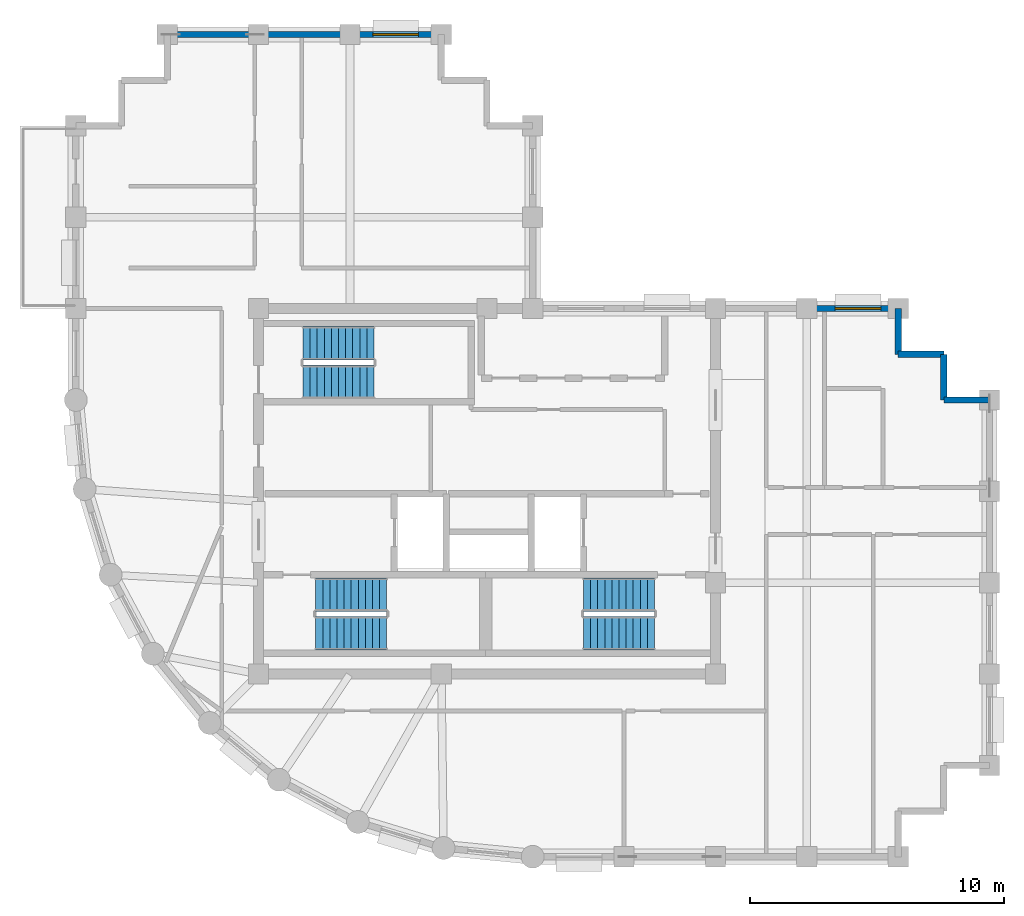
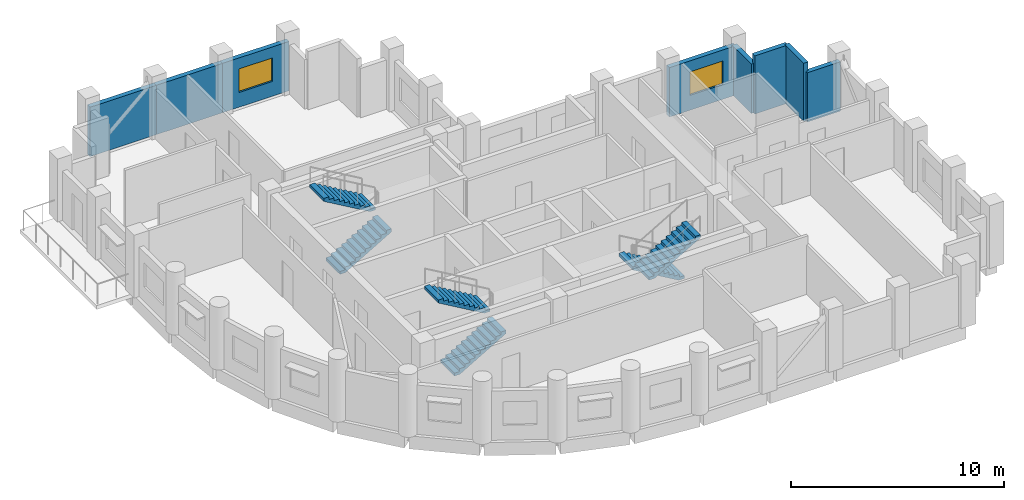
# One storey, part 5 of 7: 8 walls, 6 stair flights, 2 windows, 2 openings, 3 elements without a shape of their own.
"""IFC4 building model written with IfcOpenShell, lengths in metres."""

import ifcopenshell
import ifcopenshell.guid

model = None  # the IFC model being written
_history = None  # IfcOwnerHistory: only IFC2X3 demands one
_inside = {}  # id of a spatial element -> (the spatial element, [elements in it])
_under = {}  # id of a project, library or spatial element -> (it, [spatial elements below it])
_declared = {}  # id of a project -> (the project, [libraries it declares])
_typed = {}  # id of a type object -> (the type object, [elements of that type])
_made_of = {}  # id of a material, layer set ... -> (it, [elements and type objects made of it])


def new_model(schema):
    """Start an empty IFC model of exactly this schema.

    Asked for "IFC4X3", IfcOpenShell would pick the latest addendum, in which some entities
    have other attributes; the version numbers below select the first issue.
    IFC2X3 requires an IfcOwnerHistory on every rooted entity: one is made here for all.
    """
    global model, _history
    if schema == "IFC4X3":
        model = ifcopenshell.file(schema_version=(4, 3, 0, 0))
    else:
        model = ifcopenshell.file(schema=schema)
    _inside.clear()
    _under.clear()
    _declared.clear()
    _typed.clear()
    _made_of.clear()
    _history = None
    if model.schema == "IFC2X3":
        org = make("IfcOrganization", Name="unknown")
        user = make(
            "IfcPersonAndOrganization",
            ThePerson=make("IfcPerson", FamilyName="unknown"),
            TheOrganization=org,
        )
        app = make(
            "IfcApplication",
            ApplicationDeveloper=org,
            Version="unknown",
            ApplicationFullName="unknown",
            ApplicationIdentifier="unknown",
        )
        _history = make(
            "IfcOwnerHistory",
            OwningUser=user,
            OwningApplication=app,
            ChangeAction="ADDED",
            CreationDate=0,
        )
    return model


def make(cls, **values):
    """One entity of the class cls with the attributes given. An attribute that is None is left unset."""
    return model.create_entity(
        cls, **{name: value for name, value in values.items() if value is not None}
    )


def rooted(cls, **values):
    """An entity with a GlobalId (a new one), such as an element, a storey or a relation."""
    return make(cls, GlobalId=ifcopenshell.guid.new(), OwnerHistory=_history, **values)


def si_unit(unit_type, name, prefix=None):
    """IfcSIUnit, for example si_unit("LENGTHUNIT", "METRE", prefix="MILLI")."""
    return make("IfcSIUnit", UnitType=unit_type, Prefix=prefix, Name=name)


def assignment(units):
    """IfcUnitAssignment: the units of a project."""
    return None if units is None else make("IfcUnitAssignment", Units=units)


def point(xyz):
    """IfcCartesianPoint."""
    return None if xyz is None else make("IfcCartesianPoint", Coordinates=xyz)


def direction(xyz):
    """IfcDirection."""
    return None if xyz is None else make("IfcDirection", DirectionRatios=xyz)


def frame(location, z_axis=None, x_axis=None):
    """IfcAxis2Placement3D, a coordinate frame: its origin and axes. An axis left out is left unset."""
    return make(
        "IfcAxis2Placement3D",
        Location=point(location),
        Axis=direction(z_axis),
        RefDirection=direction(x_axis),
    )


def frame_2d(location, x_axis=None):
    """IfcAxis2Placement2D, a coordinate frame in the plane: its origin and x axis."""
    return make(
        "IfcAxis2Placement2D", Location=point(location), RefDirection=direction(x_axis)
    )


def origin():
    """The frame at (0, 0, 0) with its axes left unset."""
    return frame((0.0, 0.0, 0.0))


def place(relative_to, where):
    """IfcLocalPlacement: puts the frame where relative to a parent placement (None: the world)."""
    return make(
        "IfcLocalPlacement", PlacementRelTo=relative_to, RelativePlacement=where
    )


def context(
    kind, dimensions, precision=None, world=None, true_north=None, identifier=None
):
    """IfcGeometricRepresentationContext, for example the 3D "Model" context."""
    return make(
        "IfcGeometricRepresentationContext",
        ContextIdentifier=identifier,
        ContextType=kind,
        CoordinateSpaceDimension=dimensions,
        Precision=precision,
        WorldCoordinateSystem=world,
        TrueNorth=true_north,
    )


def subcontext(parent, identifier, kind, view, scale=None):
    """IfcGeometricRepresentationSubContext, for example "Body" below "Model"."""
    return make(
        "IfcGeometricRepresentationSubContext",
        ContextIdentifier=identifier,
        ContextType=kind,
        ParentContext=parent,
        TargetScale=scale,
        TargetView=view,
    )


def project(units=None, contexts=None):
    """IfcProject with its units and contexts."""
    return rooted(
        "IfcProject",
        Name="project",
        RepresentationContexts=contexts,
        UnitsInContext=assignment(units),
    )


def spatial(cls, under=None, at=None, **own):
    """A site, building, storey or space (cls), placed at a placement, below another one or the project."""
    s = rooted(cls, ObjectPlacement=at, **own)
    if under is not None:
        _under.setdefault(under.id(), (under, []))[1].append(s)
    return s


def polyline(points):
    """IfcPolyline through the points."""
    return make("IfcPolyline", Points=[point(p) for p in points])


def profile(cls, at=None, kind="AREA", **sizes):
    """A parametric profile (cls). Its sizes go by their IFC names, for example OverallWidth=200.0."""
    return make(cls, ProfileType=kind, Position=at, **sizes)


def rectangle(**sizes):
    """IfcRectangleProfileDef."""
    return profile("IfcRectangleProfileDef", **sizes)


def outline(outer, holes=None, kind="AREA"):
    """IfcArbitraryClosedProfileDef: a profile drawn as a closed curve; with holes, ...WithVoids."""
    if holes is None:
        return make("IfcArbitraryClosedProfileDef", ProfileType=kind, OuterCurve=outer)
    return make(
        "IfcArbitraryProfileDefWithVoids",
        ProfileType=kind,
        OuterCurve=outer,
        InnerCurves=holes,
    )


def extrude(swept, where, along, depth):
    """IfcExtrudedAreaSolid: the profile swept, set in the frame where, extruded along a direction by depth."""
    return make(
        "IfcExtrudedAreaSolid",
        SweptArea=swept,
        Position=where,
        ExtrudedDirection=direction(along),
        Depth=depth,
    )


def shape(context_of_items, identifier, shape_type, items):
    """IfcShapeRepresentation: the items that make up one representation, for example the "Body"."""
    return make(
        "IfcShapeRepresentation",
        ContextOfItems=context_of_items,
        RepresentationIdentifier=identifier,
        RepresentationType=shape_type,
        Items=items,
    )


def material(Name=None, Category=None):
    """IfcMaterial."""
    return make("IfcMaterial", Name=Name, Category=Category)


def layer(
    of_material, thickness, ventilated=None, Name=None, Category=None, Priority=None
):
    """IfcMaterialLayer: one layer of a wall or slab, of a material (None: an air gap)."""
    return make(
        "IfcMaterialLayer",
        Material=of_material,
        LayerThickness=thickness,
        IsVentilated=ventilated,
        Name=Name,
        Category=Category,
        Priority=Priority,
    )


def layer_set(layers, Name=None):
    """IfcMaterialLayerSet."""
    return make("IfcMaterialLayerSet", MaterialLayers=layers, LayerSetName=Name)


def made_of(thing, what):
    """Note that an element or type object is made of a material, layer set ...; save() writes the relation."""
    if what is not None:
        _made_of.setdefault(what.id(), (what, []))[1].append(thing)
    return thing


def type_object(cls, material=None, **own):
    """A type object (cls), such as IfcWallType, which elements share."""
    return made_of(rooted(cls, **own), material)


def element(
    cls,
    number,
    at=None,
    inside=None,
    cuts=None,
    type_object=None,
    material=None,
    context=None,
    identifier="Body",
    shape_type=None,
    held_by="IfcProductDefinitionShape",
    body=None,
    shapes=None,
    **own,
):
    """One element of the class cls, such as IfcWall. Its Tag is "e" and its number.

    at: its placement. inside: the storey or other place that contains it. cuts: it is an
    opening in that element (IfcRelVoidsElement). A single representation is given by context,
    identifier, shape_type and body (its items); several are given by shapes. held_by: the class
    of the entity that holds the representations. save() writes the other relations.
    """
    e = rooted(cls, Tag="e%d" % number, ObjectPlacement=at, **own)
    if body is not None:
        shapes = [shape(context, identifier, shape_type, body)]
    if shapes is not None:
        e.Representation = make(held_by, Representations=shapes)
    if inside is not None:
        _inside.setdefault(inside.id(), (inside, []))[1].append(e)
    if cuts is not None:
        rooted(
            "IfcRelVoidsElement", RelatingBuildingElement=cuts, RelatedOpeningElement=e
        )
    if type_object is not None:
        _typed.setdefault(type_object.id(), (type_object, []))[1].append(e)
    return made_of(e, material)


def fill(opening, filler):
    """IfcRelFillsElement: the door or window that sits in an opening."""
    return rooted(
        "IfcRelFillsElement",
        RelatingOpeningElement=opening,
        RelatedBuildingElement=filler,
    )


def aggregate(whole, parts):
    """IfcRelAggregates: a whole, such as a stair, and the parts it consists of."""
    return rooted("IfcRelAggregates", RelatingObject=whole, RelatedObjects=parts)


def save(model, path):
    """Write the relations noted so far, then the file.

    IfcRelAggregates (storeys below a building ...), IfcRelContainedInSpatialStructure (elements
    in a storey), IfcRelDefinesByType, IfcRelAssociatesMaterial and IfcRelDeclares: one each for
    every whole, place, type object, material and project.
    """
    for whole, parts in _under.values():
        aggregate(whole, parts)
    for where, things in _inside.values():
        rooted(
            "IfcRelContainedInSpatialStructure",
            RelatedElements=things,
            RelatingStructure=where,
        )
    for kind, things in _typed.values():
        rooted("IfcRelDefinesByType", RelatedObjects=things, RelatingType=kind)
    for what, things in _made_of.values():
        rooted("IfcRelAssociatesMaterial", RelatedObjects=things, RelatingMaterial=what)
    for by, libraries in _declared.values():
        rooted("IfcRelDeclares", RelatingContext=by, RelatedDefinitions=libraries)
    model.write(path)


model = new_model("IFC4")

# Units and contexts
model_context = context("Model", 3, precision=1e-05, world=origin(), true_north=direction((0.0, 1.0)))
body_context = subcontext(model_context, "Body", "Model", "MODEL_VIEW")
ifc_project = project(units=[si_unit("LENGTHUNIT", "METRE"), si_unit("AREAUNIT", "SQUARE_METRE"), si_unit("VOLUMEUNIT", "CUBIC_METRE"), si_unit("PLANEANGLEUNIT", "RADIAN"), si_unit("MASSUNIT", "GRAM", prefix="KILO")], contexts=[model_context])

# Site, building, storey
site_placement = place(None, origin())
site = spatial("IfcSite", under=ifc_project, at=site_placement, CompositionType="ELEMENT")
building_placement = place(site_placement, origin())
building = spatial("IfcBuilding", under=site, at=building_placement, Name="Solnavia Interchange Tower", CompositionType="ELEMENT")
storey_placement = place(building_placement, frame((0.0, 0.0, 266.60009765625)))
storey = spatial("IfcBuildingStorey", under=building, at=storey_placement, Name="L67", CompositionType="ELEMENT", Elevation=266.60009765625)

# Walls
ifc_material_1 = material(Name="Concrete C40/50", Category="concrete")
ifc_layer = layer(ifc_material_1, 0.25)
ifc_layer_set = layer_set([ifc_layer], Name="Concrete C40/50")
wall_type = type_object("IfcWallType", Name="Wall-ExtSpandrel-250", PredefinedType="STANDARD", material=ifc_layer_set)
wall_1_placement = place(storey_placement, frame((41.39990234375, 21.60009765625, 0.0), z_axis=(0.0, 0.0, 1.0), x_axis=(1.0, 0.0, 0.0)))
element("IfcWall", 1, at=wall_1_placement, inside=storey, type_object=wall_type, Name="EXW-L67-13 Exterior precast spandrel wall", PredefinedType="STANDARD", context=body_context, shape_type="SweptSolid", body=[
    extrude(rectangle(XDim=1.800048828125, YDim=0.25, at=frame_2d((0.89990234375, 0.0))), origin(), (0.0, 0.0, 1.0), 2.829833984375),
])
for number, where, z_axis, x_axis, name in (
    (2, (41.39990234375, 23.39990234375, 0.0), (0.0, 0.0, 1.0), (0.0, -1.0, 0.0), "EXW-L67-14 Exterior precast spandrel wall"),
    (3, (39.60009765625, 23.39990234375, 0.0), (0.0, 0.0, 1.0), (1.0, 0.0, 0.0), "EXW-L67-15 Exterior precast spandrel wall"),
):
    element("IfcWall", number, at=place(storey_placement, frame(where, z_axis=z_axis, x_axis=x_axis)), inside=storey, type_object=wall_type, Name=name, PredefinedType="STANDARD", context=body_context, shape_type="SweptSolid", body=[
        extrude(rectangle(XDim=1.7998046875, YDim=0.25, at=frame_2d((0.89990234375, 0.0))), origin(), (0.0, 0.0, 1.0), 3.3349609375),
    ])
wall_2_placement = place(storey_placement, frame((39.60009765625, 25.199951171875, 0.0), z_axis=(0.0, 0.0, 1.0), x_axis=(0.0, -1.0, 0.0)))
element("IfcWall", 4, at=wall_2_placement, inside=storey, type_object=wall_type, Name="EXW-L67-16 Exterior precast spandrel wall", PredefinedType="STANDARD", context=body_context, shape_type="SweptSolid", body=[
    extrude(rectangle(XDim=1.800048828125, YDim=0.25, at=frame_2d((0.89990234375, 0.0))), origin(), (0.0, 0.0, 1.0), 2.829833984375),
])

# Wall, opening, window
wall_3_placement = place(storey_placement, frame((36.0, 25.199951171875, 0.0), z_axis=(0.0, 0.0, 1.0), x_axis=(1.0, 0.0, 0.0)))
wall_3 = element("IfcWall", 5, at=wall_3_placement, inside=storey, type_object=wall_type, Name="EXW-L67-17 Exterior precast spandrel wall", PredefinedType="STANDARD", context=body_context, shape_type="SweptSolid", body=[
    extrude(rectangle(XDim=3.60009765625, YDim=0.25, at=frame_2d((1.800048828125, 0.0))), origin(), (0.0, 0.0, 1.0), 2.829833984375),
])
opening_1_placement = place(wall_3_placement, frame((1.1201171875, 0.0, 0.85009765625)))
opening_1 = element("IfcOpeningElement", 6, at=opening_1_placement, cuts=wall_3, Name="Opening WIN-02", PredefinedType="OPENING", context=body_context, shape_type="SweptSolid", body=[
    extrude(rectangle(XDim=1.800048828125, YDim=1.35009765625, at=frame_2d((0.89990234375, 0.675048828125))), frame((0.0, 0.135009765625, 0.0), z_axis=(0.0, -1.0, 0.0), x_axis=(1.0, 0.0, 0.0)), (0.0, 0.0, 1.0), 0.27001953125),
])
ifc_material_2 = material(Name="Thermal-Break Aluminium & Low-E Glass", Category="aluminium")
window_type = type_object("IfcWindowType", Name="Window-Ribbon-1800x1350", PartitioningType="SINGLE_PANEL", PredefinedType="WINDOW", material=ifc_material_2)
window_1_placement = place(opening_1_placement, origin())
window_1 = element("IfcWindow", 7, at=window_1_placement, inside=storey, type_object=window_type, Name="WIN-L67-17 Facade ribbon window", OverallHeight=1.35009765625, OverallWidth=1.800048828125, PartitioningType="SINGLE_PANEL", PredefinedType="WINDOW", context=body_context, shape_type="SweptSolid", body=[
    extrude(rectangle(XDim=1.800048828125, YDim=1.35009765625, at=frame_2d((0.89990234375, 0.675048828125))), frame((0.0, 0.030029296875, 0.0), z_axis=(0.0, -1.0, 0.0), x_axis=(1.0, 0.0, 0.0)), (0.0, 0.0, 1.0), 0.06005859375),
])
fill(opening_1, window_1)

wall_4_placement = place(storey_placement, frame((18.0, 36.0, 0.0), z_axis=(0.0, 0.0, 1.0), x_axis=(1.0, 0.0, 0.0)))
wall_4 = element("IfcWall", 8, at=wall_4_placement, inside=storey, type_object=wall_type, Name="EXW-L67-27 Exterior precast spandrel wall", PredefinedType="STANDARD", context=body_context, shape_type="SweptSolid", body=[
    extrude(rectangle(XDim=3.60009765625, YDim=0.25, at=frame_2d((1.800048828125, 0.0))), origin(), (0.0, 0.0, 1.0), 2.829833984375),
])
opening_2_placement = place(wall_4_placement, frame((0.89990234375, 0.0, 0.85009765625)))
opening_2 = element("IfcOpeningElement", 9, at=opening_2_placement, cuts=wall_4, Name="Opening WIN-02", PredefinedType="OPENING", context=body_context, shape_type="SweptSolid", body=[
    extrude(rectangle(XDim=1.800048828125, YDim=1.35009765625, at=frame_2d((0.89990234375, 0.675048828125))), frame((0.0, 0.135009765625, 0.0), z_axis=(0.0, -1.0, 0.0), x_axis=(1.0, 0.0, 0.0)), (0.0, 0.0, 1.0), 0.27001953125),
])
window_2_placement = place(opening_2_placement, origin())
window_2 = element("IfcWindow", 10, at=window_2_placement, inside=storey, type_object=window_type, Name="WIN-L67-27 Facade ribbon window", OverallHeight=1.35009765625, OverallWidth=1.800048828125, PartitioningType="SINGLE_PANEL", PredefinedType="WINDOW", context=body_context, shape_type="SweptSolid", body=[
    extrude(rectangle(XDim=1.800048828125, YDim=1.35009765625, at=frame_2d((0.89990234375, 0.675048828125))), frame((0.0, 0.030029296875, 0.0), z_axis=(0.0, -1.0, 0.0), x_axis=(1.0, 0.0, 0.0)), (0.0, 0.0, 1.0), 0.06005859375),
])
fill(opening_2, window_2)

# Walls
wall_5_placement = place(storey_placement, frame((14.39990234375, 36.0, 0.0), z_axis=(0.0, 0.0, 1.0), x_axis=(1.0, 0.0, 0.0)))
element("IfcWall", 11, at=wall_5_placement, inside=storey, type_object=wall_type, Name="EXW-L67-28 Exterior precast spandrel wall", PredefinedType="STANDARD", context=body_context, shape_type="SweptSolid", body=[
    extrude(rectangle(XDim=3.60009765625, YDim=0.25, at=frame_2d((1.800048828125, 0.0))), origin(), (0.0, 0.0, 1.0), 2.829833984375),
])
wall_6_placement = place(storey_placement, frame((10.800048828125, 36.0, 0.0), z_axis=(0.0, 0.0, 1.0), x_axis=(1.0, 0.0, 0.0)))
element("IfcWall", 12, at=wall_6_placement, inside=storey, type_object=wall_type, Name="EXW-L67-29 Exterior precast spandrel wall", PredefinedType="STANDARD", context=body_context, shape_type="SweptSolid", body=[
    extrude(rectangle(XDim=3.599853515625, YDim=0.25, at=frame_2d((1.7998046875, 0.0))), origin(), (0.0, 0.0, 1.0), 2.829833984375),
])

# Stair, stair flights
stair_type = type_object("IfcStairType", Name="Stair-Dogleg-RC", PredefinedType="HALF_TURN_STAIR", material=ifc_material_1)
stair_1_placement = place(storey_placement, origin())
stair_1 = element("IfcStair", 13, at=stair_1_placement, inside=storey, type_object=stair_type, Name="L67 Core exit stair 1", PredefinedType="HALF_TURN_STAIR")
stair_flight_type = type_object("IfcStairFlightType", Name="StairFlight-RC-150", PredefinedType="STRAIGHT", material=ifc_material_1)
stair_flight_1_placement = place(storey_placement, frame((16.64990234375, 12.409912109375, 0.0), z_axis=(0.0, 0.0, 1.0), x_axis=(1.0, 0.0, 0.0)))
stair_flight_1 = element("IfcStairFlight", 14, at=stair_flight_1_placement, type_object=stair_flight_type, Name="ST-1 flight 1", NumberOfRisers=11, NumberOfTreads=10, PredefinedType="STRAIGHT", RiserHeight=0.163636364, TreadLength=0.28, context=body_context, shape_type="SweptSolid", body=[
    extrude(outline(polyline([(0.0, 0.0), (0.0, 0.16357421875), (0.280029296875, 0.16357421875), (0.280029296875, 0.327392578125), (0.56005859375, 0.327392578125), (0.56005859375, 0.490966796875), (0.840087890625, 0.490966796875), (0.840087890625, 0.654541015625), (1.1201171875, 0.654541015625), (1.1201171875, 0.818115234375), (1.39990234375, 0.818115234375), (1.39990234375, 0.98193359375), (1.679931640625, 0.98193359375), (1.679931640625, 1.1455078125), (1.9599609375, 1.1455078125), (1.9599609375, 1.30908203125), (2.239990234375, 1.30908203125), (2.239990234375, 1.47265625), (2.52001953125, 1.47265625), (2.52001953125, 1.636474609375), (2.800048828125, 1.636474609375), (2.800048828125, 1.800048828125), (2.800048828125, 1.462646484375), (0.297119140625, 0.0), (0.0, 0.0)])), frame((0.0, 0.66015625, 0.0), z_axis=(0.0, -1.0, 0.0), x_axis=(1.0, 0.0, 0.0)), (0.0, 0.0, 1.0), 1.320068359375),
])
stair_flight_2_placement = place(storey_placement, frame((19.449951171875, 13.929931640625, 1.7998046875), z_axis=(0.0, 0.0, 1.0), x_axis=(-1.0, 0.0, 0.0)))
stair_flight_2 = element("IfcStairFlight", 15, at=stair_flight_2_placement, type_object=stair_flight_type, Name="ST-1 flight 2", NumberOfRisers=11, NumberOfTreads=10, PredefinedType="STRAIGHT", RiserHeight=0.163636364, TreadLength=0.28, context=body_context, shape_type="SweptSolid", body=[
    extrude(outline(polyline([(0.0, 0.0), (0.0, 0.16357421875), (0.280029296875, 0.16357421875), (0.280029296875, 0.327392578125), (0.56005859375, 0.327392578125), (0.56005859375, 0.490966796875), (0.840087890625, 0.490966796875), (0.840087890625, 0.654541015625), (1.1201171875, 0.654541015625), (1.1201171875, 0.818115234375), (1.39990234375, 0.818115234375), (1.39990234375, 0.98193359375), (1.679931640625, 0.98193359375), (1.679931640625, 1.1455078125), (1.9599609375, 1.1455078125), (1.9599609375, 1.30908203125), (2.239990234375, 1.30908203125), (2.239990234375, 1.47265625), (2.52001953125, 1.47265625), (2.52001953125, 1.636474609375), (2.800048828125, 1.636474609375), (2.800048828125, 1.800048828125), (2.800048828125, 1.462646484375), (0.297119140625, 0.0), (0.0, 0.0)])), frame((0.0, 0.66015625, 0.0), z_axis=(0.0, -1.0, 0.0), x_axis=(1.0, 0.0, 0.0)), (0.0, 0.0, 1.0), 1.320068359375),
])
aggregate(stair_1, [stair_flight_1, stair_flight_2])

stair_2_placement = place(storey_placement, origin())
stair_2 = element("IfcStair", 16, at=stair_2_placement, inside=storey, type_object=stair_type, Name="L67 Core exit stair 2", PredefinedType="HALF_TURN_STAIR")
stair_flight_3_placement = place(storey_placement, frame((30.0, 13.929931640625, 0.0), z_axis=(0.0, 0.0, 1.0), x_axis=(-1.0, 0.0, 0.0)))
stair_flight_3 = element("IfcStairFlight", 17, at=stair_flight_3_placement, type_object=stair_flight_type, Name="ST-2 flight 1", NumberOfRisers=11, NumberOfTreads=10, PredefinedType="STRAIGHT", RiserHeight=0.163636364, TreadLength=0.28, context=body_context, shape_type="SweptSolid", body=[
    extrude(outline(polyline([(0.0, 0.0), (0.0, 0.16357421875), (0.280029296875, 0.16357421875), (0.280029296875, 0.327392578125), (0.56005859375, 0.327392578125), (0.56005859375, 0.490966796875), (0.840087890625, 0.490966796875), (0.840087890625, 0.654541015625), (1.1201171875, 0.654541015625), (1.1201171875, 0.818115234375), (1.39990234375, 0.818115234375), (1.39990234375, 0.98193359375), (1.679931640625, 0.98193359375), (1.679931640625, 1.1455078125), (1.9599609375, 1.1455078125), (1.9599609375, 1.30908203125), (2.239990234375, 1.30908203125), (2.239990234375, 1.47265625), (2.52001953125, 1.47265625), (2.52001953125, 1.636474609375), (2.800048828125, 1.636474609375), (2.800048828125, 1.800048828125), (2.800048828125, 1.462646484375), (0.297119140625, 0.0), (0.0, 0.0)])), frame((0.0, 0.66015625, 0.0), z_axis=(0.0, -1.0, 0.0), x_axis=(1.0, 0.0, 0.0)), (0.0, 0.0, 1.0), 1.320068359375),
])
stair_flight_4_placement = place(storey_placement, frame((27.199951171875, 12.409912109375, 1.7998046875), z_axis=(0.0, 0.0, 1.0), x_axis=(1.0, 0.0, 0.0)))
stair_flight_4 = element("IfcStairFlight", 18, at=stair_flight_4_placement, type_object=stair_flight_type, Name="ST-2 flight 2", NumberOfRisers=11, NumberOfTreads=10, PredefinedType="STRAIGHT", RiserHeight=0.163636364, TreadLength=0.28, context=body_context, shape_type="SweptSolid", body=[
    extrude(outline(polyline([(0.0, 0.0), (0.0, 0.16357421875), (0.280029296875, 0.16357421875), (0.280029296875, 0.327392578125), (0.56005859375, 0.327392578125), (0.56005859375, 0.490966796875), (0.840087890625, 0.490966796875), (0.840087890625, 0.654541015625), (1.1201171875, 0.654541015625), (1.1201171875, 0.818115234375), (1.39990234375, 0.818115234375), (1.39990234375, 0.98193359375), (1.679931640625, 0.98193359375), (1.679931640625, 1.1455078125), (1.9599609375, 1.1455078125), (1.9599609375, 1.30908203125), (2.239990234375, 1.30908203125), (2.239990234375, 1.47265625), (2.52001953125, 1.47265625), (2.52001953125, 1.636474609375), (2.800048828125, 1.636474609375), (2.800048828125, 1.800048828125), (2.800048828125, 1.462646484375), (0.297119140625, 0.0), (0.0, 0.0)])), frame((0.0, 0.66015625, 0.0), z_axis=(0.0, -1.0, 0.0), x_axis=(1.0, 0.0, 0.0)), (0.0, 0.0, 1.0), 1.320068359375),
])
aggregate(stair_2, [stair_flight_3, stair_flight_4])

stair_3_placement = place(storey_placement, origin())
stair_3 = element("IfcStair", 19, at=stair_3_placement, inside=storey, type_object=stair_type, Name="L67 Core exit stair 3", PredefinedType="HALF_TURN_STAIR")
stair_flight_5_placement = place(storey_placement, frame((16.14990234375, 22.31005859375, 0.0), z_axis=(0.0, 0.0, 1.0), x_axis=(1.0, 0.0, 0.0)))
stair_flight_5 = element("IfcStairFlight", 20, at=stair_flight_5_placement, type_object=stair_flight_type, Name="ST-3 flight 1", NumberOfRisers=11, NumberOfTreads=10, PredefinedType="STRAIGHT", RiserHeight=0.163636364, TreadLength=0.28, context=body_context, shape_type="SweptSolid", body=[
    extrude(outline(polyline([(0.0, 0.0), (0.0, 0.16357421875), (0.280029296875, 0.16357421875), (0.280029296875, 0.327392578125), (0.56005859375, 0.327392578125), (0.56005859375, 0.490966796875), (0.840087890625, 0.490966796875), (0.840087890625, 0.654541015625), (1.1201171875, 0.654541015625), (1.1201171875, 0.818115234375), (1.39990234375, 0.818115234375), (1.39990234375, 0.98193359375), (1.679931640625, 0.98193359375), (1.679931640625, 1.1455078125), (1.9599609375, 1.1455078125), (1.9599609375, 1.30908203125), (2.239990234375, 1.30908203125), (2.239990234375, 1.47265625), (2.52001953125, 1.47265625), (2.52001953125, 1.636474609375), (2.800048828125, 1.636474609375), (2.800048828125, 1.800048828125), (2.800048828125, 1.462646484375), (0.297119140625, 0.0), (0.0, 0.0)])), frame((0.0, 0.66015625, 0.0), z_axis=(0.0, -1.0, 0.0), x_axis=(1.0, 0.0, 0.0)), (0.0, 0.0, 1.0), 1.320068359375),
])
stair_flight_6_placement = place(storey_placement, frame((18.949951171875, 23.830078125, 1.7998046875), z_axis=(0.0, 0.0, 1.0), x_axis=(-1.0, 0.0, 0.0)))
stair_flight_6 = element("IfcStairFlight", 21, at=stair_flight_6_placement, type_object=stair_flight_type, Name="ST-3 flight 2", NumberOfRisers=11, NumberOfTreads=10, PredefinedType="STRAIGHT", RiserHeight=0.163636364, TreadLength=0.28, context=body_context, shape_type="SweptSolid", body=[
    extrude(outline(polyline([(0.0, 0.0), (0.0, 0.16357421875), (0.280029296875, 0.16357421875), (0.280029296875, 0.327392578125), (0.56005859375, 0.327392578125), (0.56005859375, 0.490966796875), (0.840087890625, 0.490966796875), (0.840087890625, 0.654541015625), (1.1201171875, 0.654541015625), (1.1201171875, 0.818115234375), (1.39990234375, 0.818115234375), (1.39990234375, 0.98193359375), (1.679931640625, 0.98193359375), (1.679931640625, 1.1455078125), (1.9599609375, 1.1455078125), (1.9599609375, 1.30908203125), (2.239990234375, 1.30908203125), (2.239990234375, 1.47265625), (2.52001953125, 1.47265625), (2.52001953125, 1.636474609375), (2.800048828125, 1.636474609375), (2.800048828125, 1.800048828125), (2.800048828125, 1.462646484375), (0.297119140625, 0.0), (0.0, 0.0)])), frame((0.0, 0.66015625, 0.0), z_axis=(0.0, -1.0, 0.0), x_axis=(1.0, 0.0, 0.0)), (0.0, 0.0, 1.0), 1.320068359375),
])
aggregate(stair_3, [stair_flight_5, stair_flight_6])

save(model, "model.ifc")
